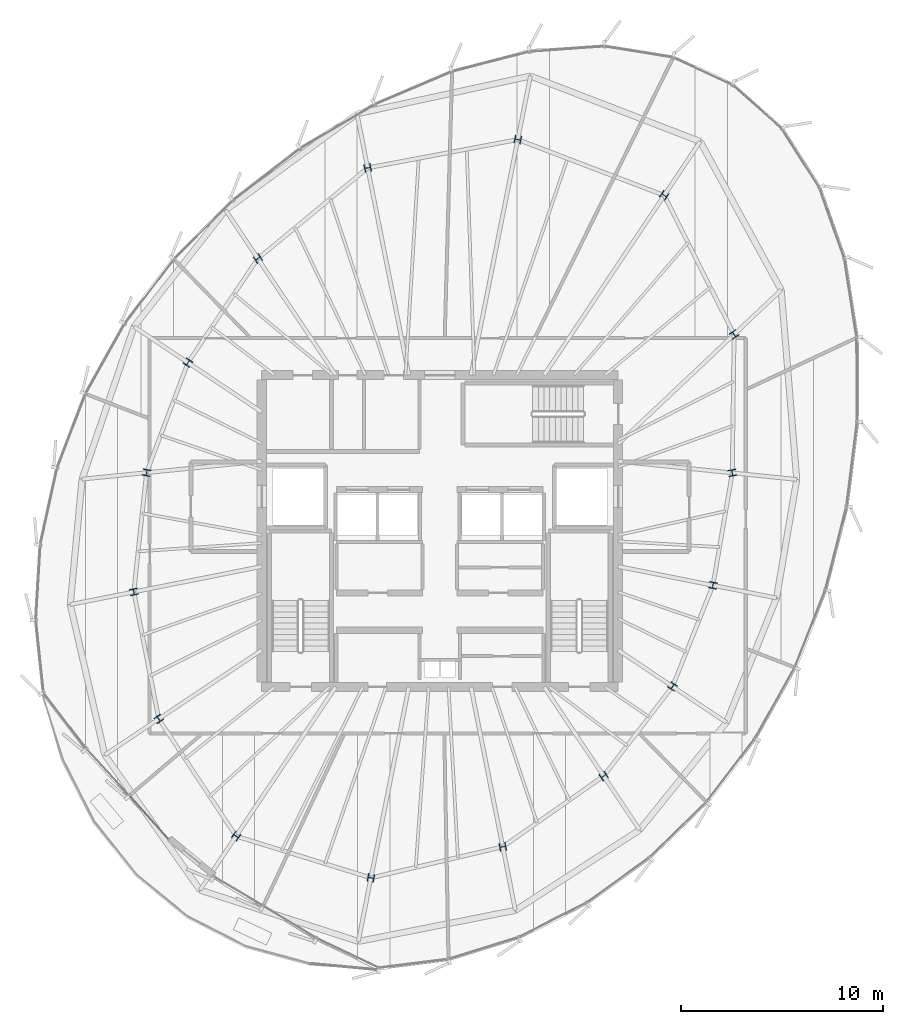
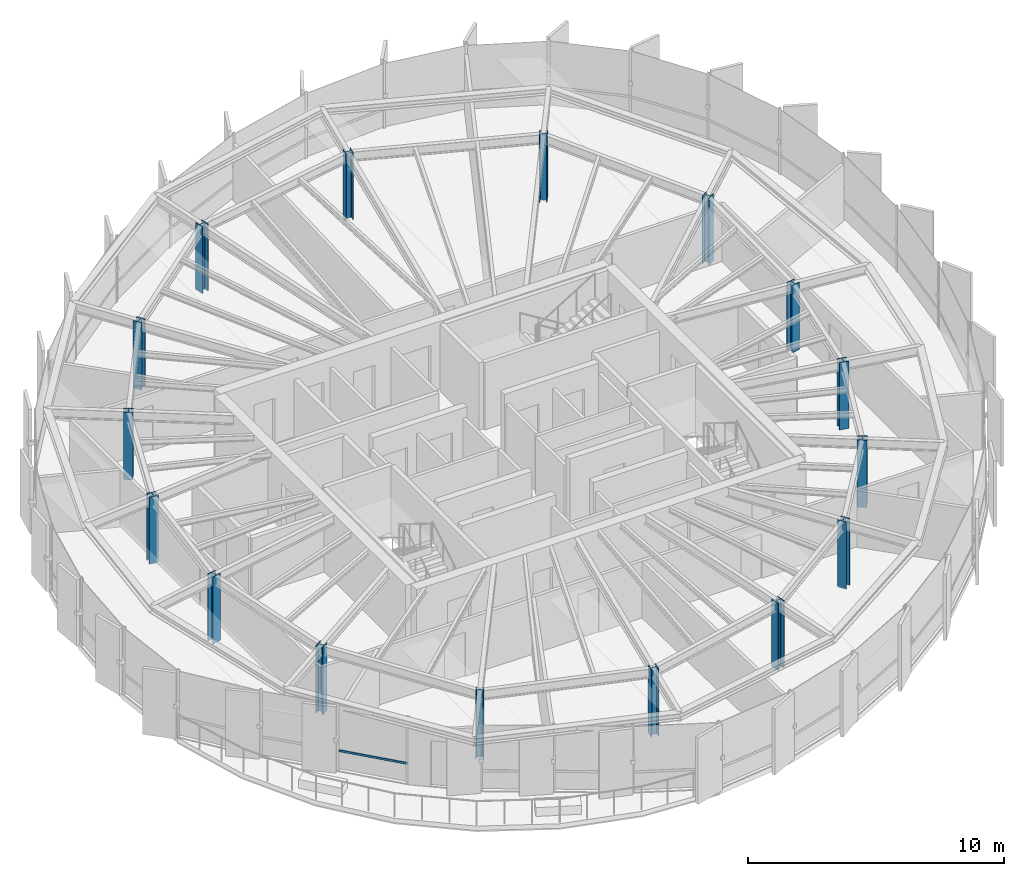
# One storey, part 1 of 34: 16 columns, 1 member, 1 element without a shape of its own.
"""IFC4 building model written with IfcOpenShell, lengths in metres."""

from ifc_helpers import new_model, si_unit, direction, frame, origin, origin_2d, place, context, subcontext, project, spatial, hollow_rectangle, i_section, extrude, source, transform, mapped, material, layer, layer_set, material_profile, profile_set, type_object, element, aggregate, save


model = new_model("IFC4")

# Units and contexts
model_context = context("Model", 3, precision=1e-05, world=origin(), true_north=direction((0.0, 1.0)))
body_context = subcontext(model_context, "Body", "Model", "MODEL_VIEW")
ifc_project = project(units=[si_unit("LENGTHUNIT", "METRE"), si_unit("AREAUNIT", "SQUARE_METRE"), si_unit("VOLUMEUNIT", "CUBIC_METRE"), si_unit("PLANEANGLEUNIT", "RADIAN"), si_unit("MASSUNIT", "GRAM", prefix="KILO"), si_unit("THERMODYNAMICTEMPERATUREUNIT", "KELVIN")], contexts=[model_context])

# Site, building, storey
site_placement = place(None, origin())
site = spatial("IfcSite", under=ifc_project, at=site_placement, CompositionType="ELEMENT")
building_placement = place(site_placement, origin())
building = spatial("IfcBuilding", under=site, at=building_placement, Name="Kethvar Cultural Tower", CompositionType="ELEMENT")
storey_placement = place(building_placement, frame((0.0, 0.0, 262.89990234375)))
storey = spatial("IfcBuildingStorey", under=building, at=storey_placement, Name="L69", CompositionType="ELEMENT", Elevation=262.89990234375)

# Columns
ifc_material_1 = material(Name="Steel S460M", Category="steel")
ifc_material_profile_1 = material_profile(ifc_material_1, i_section(OverallWidth=0.386962890625, OverallDepth=0.31591796875, WebThickness=0.0185546875, FlangeThickness=0.028076171875, FilletRadius=0.014892578125, at=origin_2d()), Name="Steel S460M — HD400x382")
ifc_profile_set_1 = profile_set([ifc_material_profile_1], Name="Steel S460M — HD400x382")
column_type = type_object("IfcColumnType", Name="COL-HD382", PredefinedType="COLUMN", material=ifc_profile_set_1)
shared_shape_1 = source(origin(), body_context, "Body", "SweptSolid", [
    extrude(i_section(OverallWidth=0.386962890625, OverallDepth=0.31591796875, WebThickness=0.0185546875, FlangeThickness=0.028076171875, FilletRadius=0.014892578125, at=origin_2d()), origin(), (0.0, 0.0, 1.0), 3.210205078125),
])
for number, where, z_axis, x_axis, name in (
    (1, (61.237060546875, 30.671630859375, 0.0), (0.0, 0.0, 1.0), (0.980785280403, 0.195090322016, 0.0), "L69 Mega-Column MC-01"),
    (2, (61.32568359375, 37.505859375, 0.0), (0.0, 0.0, 1.0), (0.831469612303, 0.55557023302, 0.0), "L69 Mega-Column MC-02"),
    (3, (57.875244140625, 44.375, 0.0), (0.0, 0.0, 1.0), (0.55557023302, 0.831469612303, 0.0), "L69 Mega-Column MC-03"),
    (4, (50.645263671875, 47.131591796875, 0.0), (0.0, 0.0, 1.0), (0.195090322016, 0.980785280403, 0.0), "L69 Mega-Column MC-04"),
    (5, (43.23291015625, 45.732421875, 0.0), (0.0, 0.0, 1.0), (-0.195090322016, 0.980785280403, 0.0), "L69 Mega-Column MC-05"),
    (6, (37.8095703125, 41.255126953125, 0.0), (0.0, 0.0, 1.0), (-0.55557023302, 0.831469612303, 0.0), "L69 Mega-Column MC-06"),
    (7, (34.35595703125, 36.114990234375, 0.0), (0.0, 0.0, 1.0), (-0.831469612303, 0.55557023302, 0.0), "L69 Mega-Column MC-07"),
    (8, (32.3125, 30.681884765625, 0.0), (0.0, 0.0, 1.0), (-0.980785280403, 0.195090322016, 0.0), "L69 Mega-Column MC-08"),
    (9, (31.68310546875, 24.79296875, 0.0), (0.0, 0.0, 1.0), (-0.980785280403, -0.195090322016, 0.0), "L69 Mega-Column MC-09"),
    (10, (32.912841796875, 18.52099609375, 0.0), (0.0, 0.0, 1.0), (-0.831469612303, -0.55557023302, 0.0), "L69 Mega-Column MC-10"),
    (11, (36.731201171875, 12.73095703125, 0.0), (0.0, 0.0, 1.0), (-0.55557023302, -0.831469612303, 0.0), "L69 Mega-Column MC-11"),
    (12, (43.392822265625, 10.67138671875, 0.0), (0.0, 0.0, 1.0), (-0.195090322016, -0.980785280403, 0.0), "L69 Mega-Column MC-12"),
    (13, (49.901611328125, 12.206787109375, 0.0), (0.0, 0.0, 1.0), (0.195090322016, -0.980785280403, 0.0), "L69 Mega-Column MC-13"),
    (14, (54.885009765625, 15.7001953125, 0.0), (0.0, 0.0, 1.0), (0.55557023302, -0.831469612303, 0.0), "L69 Mega-Column MC-14"),
    (15, (58.287109375, 20.12451171875, 0.0), (0.0, 0.0, 1.0), (0.831469612303, -0.55557023302, 0.0), "L69 Mega-Column MC-15"),
    (16, (60.28369140625, 25.117919921875, 0.0), (0.0, 0.0, 1.0), (0.980785280403, -0.195090322016, 0.0), "L69 Mega-Column MC-16"),
):
    element("IfcColumn", number, at=place(storey_placement, frame(where, z_axis=z_axis, x_axis=x_axis)), inside=storey, type_object=column_type, Name=name, PredefinedType="COLUMN", context=body_context, shape_type="MappedRepresentation", body=[
        mapped(shared_shape_1, transform((0.0, 0.0, 0.0), scale=1.0)),
    ])

# Curtain wall, member
ifc_material_2 = material(Name="Aluminium 6063-T6", Category="aluminium")
ifc_layer = layer(ifc_material_2, 0.179931640625, Name="Aluminium 6063-T6", Category="aluminium")
ifc_layer_set = layer_set([ifc_layer], Name="Aluminium 6063-T6 (180 mm)")
curtain_wall_type = type_object("IfcCurtainWallType", Name="CW-SYS-05-Z56", PredefinedType="NOTDEFINED", material=ifc_layer_set)
curtain_wall_placement = place(storey_placement, origin())
curtain_wall = element("IfcCurtainWall", 17, at=curtain_wall_placement, inside=storey, type_object=curtain_wall_type, Name="L69 Curtain Wall Run 03", PredefinedType="NOTDEFINED")
ifc_material_profile_2 = material_profile(ifc_material_2, hollow_rectangle(XDim=0.050048828125, YDim=0.10009765625, WallThickness=0.00390625, at=origin_2d()), Name="Aluminium 6063-T6 — RHS100x50x4")
ifc_profile_set_2 = profile_set([ifc_material_profile_2], Name="Aluminium 6063-T6 — RHS100x50x4")
member_type = type_object("IfcMemberType", Name="CW-SYS-05-Z56-TRN", PredefinedType="USERDEFINED", material=ifc_profile_set_2)
shared_shape_2 = source(origin(), body_context, "Body", "SweptSolid", [
    extrude(hollow_rectangle(XDim=0.050048828125, YDim=0.10009765625, WallThickness=0.00390625, at=origin_2d()), origin(), (0.0, 0.0, 1.0), 2.83935546875),
])
member_placement = place(storey_placement, frame((31.497802734375, 14.705810546875, 0.9501953125), z_axis=(0.667219501727, -0.744861152508, 0.0), x_axis=(0.744861152508, 0.667219501727, 0.0)))
member = element("IfcMember", 18, at=member_placement, type_object=member_type, Name="CW-L69-R03 Transom 5", ObjectType="TRANSOM", PredefinedType="USERDEFINED", context=body_context, shape_type="MappedRepresentation", body=[
    mapped(shared_shape_2, transform((0.0, 0.0, 0.0), scale=1.0)),
])
aggregate(curtain_wall, [member])

save(model, "model.ifc")
